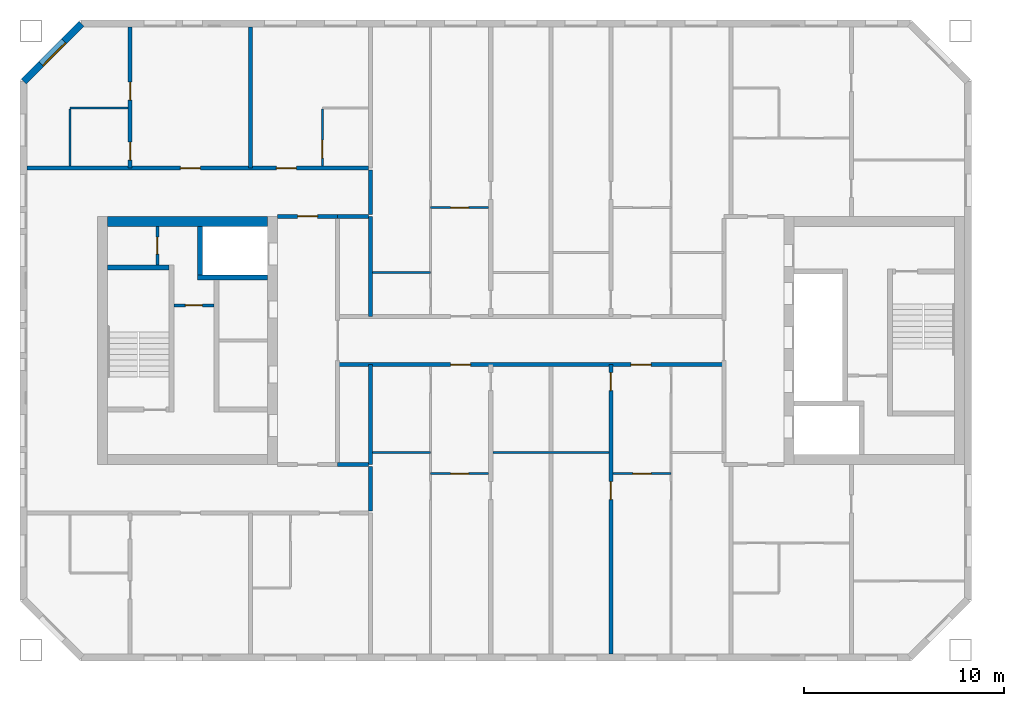
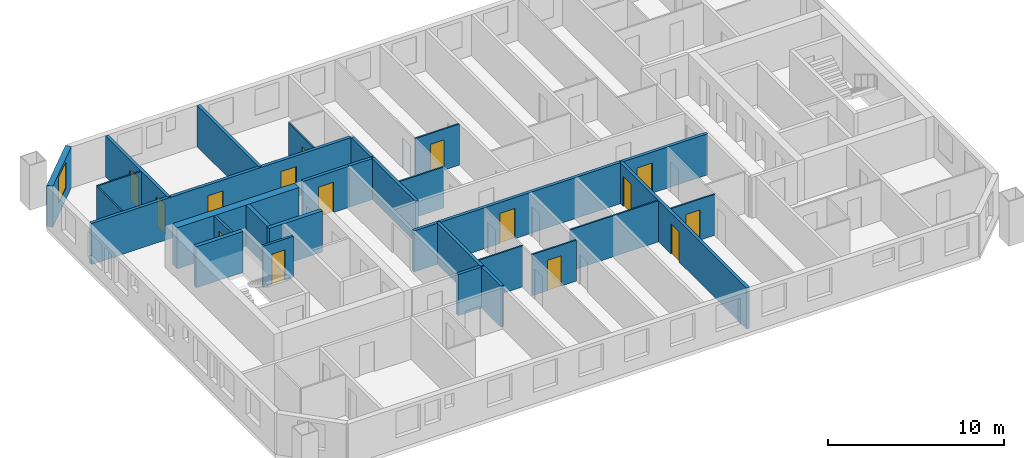
# One storey, part 4 of 15: 28 walls, 15 doors, 1 window, 16 openings.
"""IFC4 building model written with IfcOpenShell, lengths in metres."""

from ifc_helpers import new_model, si_unit, direction, frame, frame_2d, origin, place, context, subcontext, project, spatial, rectangle, extrude, material, layer, layer_set, type_object, element, fill, save


model = new_model("IFC4")

# Units and contexts
model_context = context("Model", 3, precision=1e-05, world=origin(), true_north=direction((0.0, 1.0)))
body_context = subcontext(model_context, "Body", "Model", "MODEL_VIEW")
ifc_project = project(units=[si_unit("LENGTHUNIT", "METRE"), si_unit("AREAUNIT", "SQUARE_METRE"), si_unit("VOLUMEUNIT", "CUBIC_METRE"), si_unit("PLANEANGLEUNIT", "RADIAN"), si_unit("MASSUNIT", "GRAM", prefix="KILO")], contexts=[model_context])

# Site, building, storey
site_placement = place(None, origin())
site = spatial("IfcSite", under=ifc_project, at=site_placement, CompositionType="ELEMENT")
building_placement = place(site_placement, origin())
building = spatial("IfcBuilding", under=site, at=building_placement, Name="Tuart Gate Housing", CompositionType="ELEMENT")
storey_placement = place(building_placement, frame((0.0, 0.0, 154.699951171875)))
storey = spatial("IfcBuildingStorey", under=building, at=storey_placement, Name="L43", CompositionType="ELEMENT", Elevation=154.699951171875)

# Wall, opening, window
ifc_material_1 = material(Name="Brick", Category="masonry")
ifc_layer_1 = layer(ifc_material_1, 0.360107421875)
ifc_layer_set_1 = layer_set([ifc_layer_1], Name="Brick pier and spandrel wall 360")
wall_type_1 = type_object("IfcWallType", Name="Brick pier and spandrel wall 360", PredefinedType="STANDARD", material=ifc_layer_set_1)
wall_1_placement = place(storey_placement, frame((31.57470703125, 85.820068359375, 0.0), z_axis=(0.0, 0.0, 1.0), x_axis=(-0.707106781187, -0.707106781187, 0.0)))
wall_1 = element("IfcWall", 1, at=wall_1_placement, inside=storey, type_object=wall_type_1, Name="External wall A-NW L43", PredefinedType="STANDARD", context=body_context, shape_type="SweptSolid", body=[
    extrude(rectangle(XDim=4.09375, YDim=0.360107421875, at=frame_2d((2.046875, 0.0))), origin(), (0.0, 0.0, 1.0), 2.85009765625),
])
opening_1_placement = place(wall_1_placement, frame((1.2470703125, 0.0, 0.800048828125)))
opening_1 = element("IfcOpeningElement", 2, at=opening_1_placement, cuts=wall_1, Name="Opening W1", PredefinedType="OPENING", context=body_context, shape_type="SweptSolid", body=[
    extrude(rectangle(XDim=1.60009765625, YDim=1.800048828125, at=frame_2d((0.800048828125, 0.89990234375))), frame((0.0, 0.18994140625, 0.0), z_axis=(0.0, -1.0, 0.0), x_axis=(1.0, 0.0, 0.0)), (0.0, 0.0, 1.0), 0.380126953125),
])
ifc_material_2 = material(Name="Aluminium frame with clear glass", Category="aluminium")
window_type = type_object("IfcWindowType", Name="Punched window 1600 x 1800", PartitioningType="SINGLE_PANEL", PredefinedType="WINDOW", material=ifc_material_2)
window_placement = place(opening_1_placement, origin())
window = element("IfcWindow", 3, at=window_placement, inside=storey, type_object=window_type, Name="Window W1", OverallHeight=1.800048828125, OverallWidth=1.60009765625, PartitioningType="SINGLE_PANEL", PredefinedType="WINDOW", context=body_context, shape_type="SweptSolid", body=[
    extrude(rectangle(XDim=1.60009765625, YDim=1.800048828125, at=frame_2d((0.800048828125, 0.89990234375))), frame((0.0, 0.150146484375, 0.0), z_axis=(0.0, -1.0, 0.0), x_axis=(1.0, 0.0, 0.0)), (0.0, 0.0, 1.0), 0.06005859375),
])
fill(opening_1, window)

# Wall, opening, door
ifc_material_3 = material(Name="Plasterboard partition")
ifc_layer_2 = layer(ifc_material_3, 0.14990234375)
ifc_layer_set_2 = layer_set([ifc_layer_2], Name="Core partition 150")
wall_type_2 = type_object("IfcWallType", Name="Core partition 150", PredefinedType="PARTITIONING", material=ifc_layer_set_2)
wall_2_placement = place(storey_placement, frame((38.18505859375, 71.75, 0.0), z_axis=(0.0, 0.0, 1.0), x_axis=(-1.0, 0.0, 0.0)))
wall_2 = element("IfcWall", 4, at=wall_2_placement, inside=storey, type_object=wall_type_2, Name="Core partition AK.3", PredefinedType="PARTITIONING", context=body_context, shape_type="SweptSolid", body=[
    extrude(rectangle(XDim=2.0, YDim=0.14990234375, at=frame_2d((1.0, 0.0))), origin(), (0.0, 0.0, 1.0), 2.85009765625),
])
opening_2_placement = place(wall_2_placement, frame((0.574951171875, 0.0, 0.0)))
opening_2 = element("IfcOpeningElement", 5, at=opening_2_placement, cuts=wall_2, Name="Opening D1539", PredefinedType="OPENING", context=body_context, shape_type="SweptSolid", body=[
    extrude(rectangle(XDim=0.85009765625, YDim=2.10009765625, at=frame_2d((0.425048828125, 1.050048828125))), frame((0.0, 0.0849609375, 0.0), z_axis=(0.0, -1.0, 0.0), x_axis=(1.0, 0.0, 0.0)), (0.0, 0.0, 1.0), 0.169921875),
])
ifc_material_4 = material(Name="Steel fire door", Category="steel")
door_type_1 = type_object("IfcDoorType", Name="Riser door 850 x 2100 RH", OperationType="SINGLE_SWING_RIGHT", PredefinedType="DOOR", material=ifc_material_4)
door_1_placement = place(opening_2_placement, frame((0.85009765625, 0.0, 0.0), z_axis=(0.0, 0.0, 1.0), x_axis=(-1.0, 0.0, 0.0)))
door_1 = element("IfcDoor", 6, at=door_1_placement, inside=storey, type_object=door_type_1, Name="Service room door AK.E1", OperationType="SINGLE_SWING_RIGHT", OverallHeight=2.10009765625, OverallWidth=0.85009765625, PredefinedType="DOOR", context=body_context, shape_type="SweptSolid", body=[
    extrude(rectangle(XDim=0.85009765625, YDim=2.10009765625, at=frame_2d((0.425048828125, 1.050048828125))), frame((0.0, 0.025146484375, 0.0), z_axis=(0.0, -1.0, 0.0), x_axis=(1.0, 0.0, 0.0)), (0.0, 0.0, 1.0), 0.050048828125),
])
fill(opening_2, door_1)

wall_3_placement = place(storey_placement, frame((35.360107421875, 75.699951171875, 0.0), z_axis=(0.0, 0.0, 1.0), x_axis=(0.0, -1.0, 0.0)))
wall_3 = element("IfcWall", 7, at=wall_3_placement, inside=storey, type_object=wall_type_2, Name="Core partition AK.10", PredefinedType="PARTITIONING", context=body_context, shape_type="SweptSolid", body=[
    extrude(rectangle(XDim=1.925048828125, YDim=0.14990234375, at=frame_2d((0.96240234375, 0.0))), origin(), (0.0, 0.0, 1.0), 2.85009765625),
])
opening_3_placement = place(wall_3_placement, frame((0.53759765625, 0.0, 0.0)))
opening_3 = element("IfcOpeningElement", 8, at=opening_3_placement, cuts=wall_3, Name="Opening D1537", PredefinedType="OPENING", context=body_context, shape_type="SweptSolid", body=[
    extrude(rectangle(XDim=0.85009765625, YDim=2.10009765625, at=frame_2d((0.425048828125, 1.050048828125))), frame((0.0, 0.0849609375, 0.0), z_axis=(0.0, -1.0, 0.0), x_axis=(1.0, 0.0, 0.0)), (0.0, 0.0, 1.0), 0.169921875),
])
ifc_material_5 = material(Name="Steel fire door", Category="steel")
door_type_2 = type_object("IfcDoorType", Name="Service door 850 x 2100", OperationType="SINGLE_SWING_LEFT", PredefinedType="DOOR", material=ifc_material_5)
door_2_placement = place(opening_3_placement, origin())
door_2 = element("IfcDoor", 9, at=door_2_placement, inside=storey, type_object=door_type_2, Name="Service room door AK.E2", OperationType="SINGLE_SWING_LEFT", OverallHeight=2.10009765625, OverallWidth=0.85009765625, PredefinedType="DOOR", context=body_context, shape_type="SweptSolid", body=[
    extrude(rectangle(XDim=0.85009765625, YDim=2.10009765625, at=frame_2d((0.425048828125, 1.050048828125))), frame((0.0, 0.02490234375, 0.0), z_axis=(0.0, -1.0, 0.0), x_axis=(1.0, 0.0, 0.0)), (0.0, 0.0, 1.0), 0.050048828125),
])
fill(opening_3, door_2)

# Walls
ifc_material_6 = material(Name="Concrete C40", Category="concrete")
ifc_layer_3 = layer(ifc_material_6, 0.25)
ifc_layer_set_3 = layer_set([ifc_layer_3], Name="Core wall 250 C40")
wall_type_3 = type_object("IfcWallType", Name="Core wall 250 C40", PredefinedType="SHEAR", material=ifc_layer_set_3)
wall_4_placement = place(storey_placement, frame((35.93505859375, 73.64990234375, 0.0), z_axis=(0.0, 0.0, 1.0), x_axis=(-1.0, 0.0, 0.0)))
element("IfcWall", 10, at=wall_4_placement, inside=storey, type_object=wall_type_3, Name="Core wall AK.1", PredefinedType="SHEAR", context=body_context, shape_type="SweptSolid", body=[
    extrude(rectangle(XDim=3.074951171875, YDim=0.25, at=frame_2d((1.53759765625, 0.0))), origin(), (0.0, 0.0, 1.0), 2.85009765625),
])
wall_5_placement = place(storey_placement, frame((40.860107421875, 73.14990234375, 0.0), z_axis=(0.0, 0.0, 1.0), x_axis=(-1.0, 0.0, 0.0)))
element("IfcWall", 11, at=wall_5_placement, inside=storey, type_object=wall_type_3, Name="Core wall AK.2", PredefinedType="SHEAR", context=body_context, shape_type="SweptSolid", body=[
    extrude(rectangle(XDim=3.4951171875, YDim=0.25, at=frame_2d((1.74755859375, 0.0))), origin(), (0.0, 0.0, 1.0), 2.85009765625),
])
wall_6_placement = place(storey_placement, frame((37.489990234375, 75.699951171875, 0.0), z_axis=(0.0, 0.0, 1.0), x_axis=(0.0, -1.0, 0.0)))
element("IfcWall", 12, at=wall_6_placement, inside=storey, type_object=wall_type_3, Name="Core wall AK.8", PredefinedType="SHEAR", context=body_context, shape_type="SweptSolid", body=[
    extrude(rectangle(XDim=2.425048828125, YDim=0.25, at=frame_2d((1.21240234375, 0.0))), origin(), (0.0, 0.0, 1.0), 2.85009765625),
])
ifc_material_7 = material(Name="Concrete C40", Category="concrete")
ifc_layer_4 = layer(ifc_material_7, 0.5)
ifc_layer_set_4 = layer_set([ifc_layer_4], Name="Core wall 500 C40")
wall_type_4 = type_object("IfcWallType", Name="Core wall 500 C40", PredefinedType="SHEAR", material=ifc_layer_set_4)
wall_7_placement = place(storey_placement, frame((40.860107421875, 75.949951171875, 0.0), z_axis=(0.0, 0.0, 1.0), x_axis=(-1.0, 0.0, 0.0)))
element("IfcWall", 13, at=wall_7_placement, inside=storey, type_object=wall_type_4, Name="Core wall AK south", PredefinedType="SHEAR", context=body_context, shape_type="SweptSolid", body=[
    extrude(rectangle(XDim=8.0, YDim=0.5, at=frame_2d((4.0, 0.0))), origin(), (0.0, 0.0, 1.0), 2.85009765625),
])
ifc_material_8 = material(Name="Concrete masonry 15 MPa", Category="masonry")
ifc_layer_5 = layer(ifc_material_8, 0.199951171875)
ifc_layer_set_5 = layer_set([ifc_layer_5], Name="Corridor wall masonry 200")
wall_type_5 = type_object("IfcWallType", Name="Corridor wall masonry 200", PredefinedType="PARTITIONING", material=ifc_layer_set_5)
wall_8_placement = place(storey_placement, frame((44.360107421875, 63.800048828125, 0.0), z_axis=(0.0, 0.0, 1.0), x_axis=(1.0, 0.0, 0.0)))
element("IfcWall", 14, at=wall_8_placement, inside=storey, type_object=wall_type_5, Name="Corridor wall masonry 200", PredefinedType="PARTITIONING", context=body_context, shape_type="SweptSolid", body=[
    extrude(rectangle(XDim=1.539794921875, YDim=0.199951171875, at=frame_2d((0.77001953125, 0.0))), origin(), (0.0, 0.0, 1.0), 2.85009765625),
])

# Wall, openings, doors
wall_9_placement = place(storey_placement, frame((44.360107421875, 68.800048828125, 0.0), z_axis=(0.0, 0.0, 1.0), x_axis=(1.0, 0.0, 0.0)))
wall_9 = element("IfcWall", 15, at=wall_9_placement, inside=storey, type_object=wall_type_5, Name="Corridor wall masonry 200", PredefinedType="PARTITIONING", context=body_context, shape_type="SweptSolid", body=[
    extrude(rectangle(XDim=19.27978515625, YDim=0.199951171875, at=frame_2d((9.639892578125, 0.0))), origin(), (0.0, 0.0, 1.0), 2.85009765625),
])
opening_4_placement = place(wall_9_placement, frame((14.639892578125, 0.0, 0.0)))
opening_4 = element("IfcOpeningElement", 16, at=opening_4_placement, cuts=wall_9, Name="Opening D1548", PredefinedType="OPENING", context=body_context, shape_type="SweptSolid", body=[
    extrude(rectangle(XDim=1.0, YDim=2.10009765625, at=frame_2d((0.5, 1.050048828125))), frame((0.0, 0.10986328125, 0.0), z_axis=(0.0, -1.0, 0.0), x_axis=(1.0, 0.0, 0.0)), (0.0, 0.0, 1.0), 0.219970703125),
])
opening_5_placement = place(wall_9_placement, frame((5.639892578125, 0.0, 0.0)))
opening_5 = element("IfcOpeningElement", 17, at=opening_5_placement, cuts=wall_9, Name="Opening D1549", PredefinedType="OPENING", context=body_context, shape_type="SweptSolid", body=[
    extrude(rectangle(XDim=1.0, YDim=2.10009765625, at=frame_2d((0.5, 1.050048828125))), frame((0.0, 0.10986328125, 0.0), z_axis=(0.0, -1.0, 0.0), x_axis=(1.0, 0.0, 0.0)), (0.0, 0.0, 1.0), 0.219970703125),
])
ifc_material_9 = material(Name="Timber door leaf in steel frame", Category="steel")
door_type_3 = type_object("IfcDoorType", Name="Flat entrance door 1000 RH", OperationType="SINGLE_SWING_RIGHT", PredefinedType="DOOR", material=ifc_material_9)
door_3_placement = place(opening_4_placement, frame((1.0, 0.0, 0.0), z_axis=(0.0, 0.0, 1.0), x_axis=(-1.0, 0.0, 0.0)))
door_3 = element("IfcDoor", 18, at=door_3_placement, inside=storey, type_object=door_type_3, Name="Flat entrance door", OperationType="SINGLE_SWING_RIGHT", OverallHeight=2.10009765625, OverallWidth=1.0, PredefinedType="DOOR", context=body_context, shape_type="SweptSolid", body=[
    extrude(rectangle(XDim=1.0, YDim=2.10009765625, at=frame_2d((0.5, 1.050048828125))), frame((0.0, 0.025146484375, 0.0), z_axis=(0.0, -1.0, 0.0), x_axis=(1.0, 0.0, 0.0)), (0.0, 0.0, 1.0), 0.050048828125),
])
fill(opening_4, door_3)
door_4_placement = place(opening_5_placement, frame((1.0, 0.0, 0.0), z_axis=(0.0, 0.0, 1.0), x_axis=(-1.0, 0.0, 0.0)))
door_4 = element("IfcDoor", 19, at=door_4_placement, inside=storey, type_object=door_type_3, Name="Flat entrance door", OperationType="SINGLE_SWING_RIGHT", OverallHeight=2.10009765625, OverallWidth=1.0, PredefinedType="DOOR", context=body_context, shape_type="SweptSolid", body=[
    extrude(rectangle(XDim=1.0, YDim=2.10009765625, at=frame_2d((0.5, 1.050048828125))), frame((0.0, 0.025146484375, 0.0), z_axis=(0.0, -1.0, 0.0), x_axis=(1.0, 0.0, 0.0)), (0.0, 0.0, 1.0), 0.050048828125),
])
fill(opening_5, door_4)

# Wall
wall_10_placement = place(storey_placement, frame((44.360107421875, 76.199951171875, 0.0), z_axis=(0.0, 0.0, 1.0), x_axis=(1.0, 0.0, 0.0)))
element("IfcWall", 20, at=wall_10_placement, inside=storey, type_object=wall_type_5, Name="Corridor wall masonry 200", PredefinedType="PARTITIONING", context=body_context, shape_type="SweptSolid", body=[
    extrude(rectangle(XDim=1.539794921875, YDim=0.199951171875, at=frame_2d((0.77001953125, 0.0))), origin(), (0.0, 0.0, 1.0), 2.85009765625),
])

# Wall, openings, doors
wall_11_placement = place(storey_placement, frame((28.860107421875, 78.60009765625, 0.0), z_axis=(0.0, 0.0, 1.0), x_axis=(1.0, 0.0, 0.0)))
wall_11 = element("IfcWall", 21, at=wall_11_placement, inside=storey, type_object=wall_type_5, Name="Corridor wall masonry 200", PredefinedType="PARTITIONING", context=body_context, shape_type="SweptSolid", body=[
    extrude(rectangle(XDim=17.039794921875, YDim=0.199951171875, at=frame_2d((8.52001953125, 0.0))), origin(), (0.0, 0.0, 1.0), 2.85009765625),
])
opening_6_placement = place(wall_11_placement, frame((12.43994140625, 0.0, 0.0)))
opening_6 = element("IfcOpeningElement", 22, at=opening_6_placement, cuts=wall_11, Name="Opening D1523", PredefinedType="OPENING", context=body_context, shape_type="SweptSolid", body=[
    extrude(rectangle(XDim=1.0, YDim=2.10009765625, at=frame_2d((0.5, 1.050048828125))), frame((0.0, 0.10986328125, 0.0), z_axis=(0.0, -1.0, 0.0), x_axis=(1.0, 0.0, 0.0)), (0.0, 0.0, 1.0), 0.219970703125),
])
opening_7_placement = place(wall_11_placement, frame((7.639892578125, 0.0, 0.0)))
opening_7 = element("IfcOpeningElement", 23, at=opening_7_placement, cuts=wall_11, Name="Opening D1524", PredefinedType="OPENING", context=body_context, shape_type="SweptSolid", body=[
    extrude(rectangle(XDim=1.0, YDim=2.10009765625, at=frame_2d((0.5, 1.050048828125))), frame((0.0, 0.10986328125, 0.0), z_axis=(0.0, -1.0, 0.0), x_axis=(1.0, 0.0, 0.0)), (0.0, 0.0, 1.0), 0.219970703125),
])
ifc_material_10 = material(Name="Timber door leaf in steel frame", Category="steel")
door_type_4 = type_object("IfcDoorType", Name="Flat entrance door 1000", OperationType="SINGLE_SWING_LEFT", PredefinedType="DOOR", material=ifc_material_10)
door_5_placement = place(opening_6_placement, origin())
door_5 = element("IfcDoor", 24, at=door_5_placement, inside=storey, type_object=door_type_4, Name="Flat entrance door", OperationType="SINGLE_SWING_LEFT", OverallHeight=2.10009765625, OverallWidth=1.0, PredefinedType="DOOR", context=body_context, shape_type="SweptSolid", body=[
    extrude(rectangle(XDim=1.0, YDim=2.10009765625, at=frame_2d((0.5, 1.050048828125))), frame((0.0, 0.02490234375, 0.0), z_axis=(0.0, -1.0, 0.0), x_axis=(1.0, 0.0, 0.0)), (0.0, 0.0, 1.0), 0.050048828125),
])
fill(opening_6, door_5)
door_6_placement = place(opening_7_placement, origin())
door_6 = element("IfcDoor", 25, at=door_6_placement, inside=storey, type_object=door_type_4, Name="Flat entrance door", OperationType="SINGLE_SWING_LEFT", OverallHeight=2.10009765625, OverallWidth=1.0, PredefinedType="DOOR", context=body_context, shape_type="SweptSolid", body=[
    extrude(rectangle(XDim=1.0, YDim=2.10009765625, at=frame_2d((0.5, 1.050048828125))), frame((0.0, 0.02490234375, 0.0), z_axis=(0.0, -1.0, 0.0), x_axis=(1.0, 0.0, 0.0)), (0.0, 0.0, 1.0), 0.050048828125),
])
fill(opening_7, door_6)

# Walls
for number, where, z_axis, x_axis, name in (
    (26, (46.0, 61.5, 0.0), (0.0, 0.0, 1.0), (0.0, 1.0, 0.0), "Corridor wall masonry 200"),
    (27, (46.0, 76.300048828125, 0.0), (0.0, 0.0, 1.0), (0.0, 1.0, 0.0), "Corridor wall masonry 200"),
):
    element("IfcWall", number, at=place(storey_placement, frame(where, z_axis=z_axis, x_axis=x_axis)), inside=storey, type_object=wall_type_5, Name=name, PredefinedType="PARTITIONING", context=body_context, shape_type="SweptSolid", body=[
        extrude(rectangle(XDim=2.199951171875, YDim=0.199951171875, at=frame_2d((1.10009765625, 0.0))), origin(), (0.0, 0.0, 1.0), 2.85009765625),
    ])

# Wall, opening, door
ifc_material_11 = material(Name="Concrete masonry 15 MPa", Category="masonry")
ifc_layer_6 = layer(ifc_material_11, 0.199951171875)
ifc_layer_set_6 = layer_set([ifc_layer_6], Name="Enclosure wall masonry 200")
wall_type_6 = type_object("IfcWallType", Name="Enclosure wall masonry 200", PredefinedType="PARTITIONING", material=ifc_layer_set_6)
wall_12_placement = place(storey_placement, frame((41.360107421875, 76.199951171875, 0.0), z_axis=(0.0, 0.0, 1.0), x_axis=(1.0, 0.0, 0.0)))
wall_12 = element("IfcWall", 28, at=wall_12_placement, inside=storey, type_object=wall_type_6, Name="Enclosure wall masonry 200", PredefinedType="PARTITIONING", context=body_context, shape_type="SweptSolid", body=[
    extrude(rectangle(XDim=3.0, YDim=0.199951171875, at=frame_2d((1.5, 0.0))), origin(), (0.0, 0.0, 1.0), 2.85009765625),
])
opening_8_placement = place(wall_12_placement, frame((1.0, 0.0, 0.0)))
opening_8 = element("IfcOpeningElement", 29, at=opening_8_placement, cuts=wall_12, Name="Opening D1535", PredefinedType="OPENING", context=body_context, shape_type="SweptSolid", body=[
    extrude(rectangle(XDim=1.0, YDim=2.10009765625, at=frame_2d((0.5, 1.050048828125))), frame((0.0, 0.10986328125, 0.0), z_axis=(0.0, -1.0, 0.0), x_axis=(1.0, 0.0, 0.0)), (0.0, 0.0, 1.0), 0.219970703125),
])
ifc_material_12 = material(Name="Timber door leaf in steel frame", Category="steel")
door_type_5 = type_object("IfcDoorType", Name="Fire door 1000 RH", OperationType="SINGLE_SWING_RIGHT", PredefinedType="DOOR", material=ifc_material_12)
door_7_placement = place(opening_8_placement, origin())
door_7 = element("IfcDoor", 30, at=door_7_placement, inside=storey, type_object=door_type_5, Name="Fire door", OperationType="SINGLE_SWING_RIGHT", OverallHeight=2.10009765625, OverallWidth=1.0, PredefinedType="DOOR", context=body_context, shape_type="SweptSolid", body=[
    extrude(rectangle(XDim=1.0, YDim=2.10009765625, at=frame_2d((0.5, 1.050048828125))), frame((0.0, 0.02490234375, 0.0), z_axis=(0.0, -1.0, 0.0), x_axis=(1.0, 0.0, 0.0)), (0.0, 0.0, 1.0), 0.050048828125),
])
fill(opening_8, door_7)

ifc_material_13 = material(Name="Gypsum board on steel studs", Category="steel")
ifc_layer_7 = layer(ifc_material_13, 0.10009765625)
ifc_layer_set_7 = layer_set([ifc_layer_7], Name="Partition 100")
wall_type_7 = type_object("IfcWallType", Name="Partition 100", PredefinedType="PARTITIONING", material=ifc_layer_set_7)
wall_13_placement = place(storey_placement, frame((49.0, 63.360107421875, 0.0), z_axis=(0.0, 0.0, 1.0), x_axis=(1.0, 0.0, 0.0)))
wall_13 = element("IfcWall", 31, at=wall_13_placement, inside=storey, type_object=wall_type_7, Name="Partition 100", PredefinedType="PARTITIONING", context=body_context, shape_type="SweptSolid", body=[
    extrude(rectangle(XDim=2.89990234375, YDim=0.10009765625, at=frame_2d((1.449951171875, 0.0))), origin(), (0.0, 0.0, 1.0), 2.85009765625),
])
opening_9_placement = place(wall_13_placement, frame((1.0, 0.0, 0.0)))
opening_9 = element("IfcOpeningElement", 32, at=opening_9_placement, cuts=wall_13, Name="Opening D1554", PredefinedType="OPENING", context=body_context, shape_type="SweptSolid", body=[
    extrude(rectangle(XDim=0.89990234375, YDim=2.10009765625, at=frame_2d((0.449951171875, 1.050048828125))), frame((0.0, 0.06005859375, 0.0), z_axis=(0.0, -1.0, 0.0), x_axis=(1.0, 0.0, 0.0)), (0.0, 0.0, 1.0), 0.1201171875),
])
ifc_material_14 = material(Name="Timber door leaf in steel frame", Category="steel")
door_type_6 = type_object("IfcDoorType", Name="Internal door 900", OperationType="SINGLE_SWING_LEFT", PredefinedType="DOOR", material=ifc_material_14)
door_8_placement = place(opening_9_placement, origin())
door_8 = element("IfcDoor", 33, at=door_8_placement, inside=storey, type_object=door_type_6, Name="Internal door", OperationType="SINGLE_SWING_LEFT", OverallHeight=2.10009765625, OverallWidth=0.89990234375, PredefinedType="DOOR", context=body_context, shape_type="SweptSolid", body=[
    extrude(rectangle(XDim=0.89990234375, YDim=2.10009765625, at=frame_2d((0.449951171875, 1.050048828125))), frame((0.0, 0.02490234375, 0.0), z_axis=(0.0, -1.0, 0.0), x_axis=(1.0, 0.0, 0.0)), (0.0, 0.0, 1.0), 0.050048828125),
])
fill(opening_9, door_8)

wall_14_placement = place(storey_placement, frame((58.10009765625, 63.360107421875, 0.0), z_axis=(0.0, 0.0, 1.0), x_axis=(1.0, 0.0, 0.0)))
wall_14 = element("IfcWall", 34, at=wall_14_placement, inside=storey, type_object=wall_type_7, Name="Partition 100", PredefinedType="PARTITIONING", context=body_context, shape_type="SweptSolid", body=[
    extrude(rectangle(XDim=2.89990234375, YDim=0.10009765625, at=frame_2d((1.449951171875, 0.0))), origin(), (0.0, 0.0, 1.0), 2.85009765625),
])
opening_10_placement = place(wall_14_placement, frame((1.0, 0.0, 0.0)))
opening_10 = element("IfcOpeningElement", 35, at=opening_10_placement, cuts=wall_14, Name="Opening D1555", PredefinedType="OPENING", context=body_context, shape_type="SweptSolid", body=[
    extrude(rectangle(XDim=0.89990234375, YDim=2.10009765625, at=frame_2d((0.449951171875, 1.050048828125))), frame((0.0, 0.06005859375, 0.0), z_axis=(0.0, -1.0, 0.0), x_axis=(1.0, 0.0, 0.0)), (0.0, 0.0, 1.0), 0.1201171875),
])
ifc_material_15 = material(Name="Timber door leaf in steel frame", Category="steel")
door_type_7 = type_object("IfcDoorType", Name="Internal door 900 RH", OperationType="SINGLE_SWING_RIGHT", PredefinedType="DOOR", material=ifc_material_15)
door_9_placement = place(opening_10_placement, origin())
door_9 = element("IfcDoor", 36, at=door_9_placement, inside=storey, type_object=door_type_7, Name="Internal door", OperationType="SINGLE_SWING_RIGHT", OverallHeight=2.10009765625, OverallWidth=0.89990234375, PredefinedType="DOOR", context=body_context, shape_type="SweptSolid", body=[
    extrude(rectangle(XDim=0.89990234375, YDim=2.10009765625, at=frame_2d((0.449951171875, 1.050048828125))), frame((0.0, 0.02490234375, 0.0), z_axis=(0.0, -1.0, 0.0), x_axis=(1.0, 0.0, 0.0)), (0.0, 0.0, 1.0), 0.050048828125),
])
fill(opening_10, door_9)

# Walls
wall_15_placement = place(storey_placement, frame((46.10009765625, 64.39990234375, 0.0), z_axis=(0.0, 0.0, 1.0), x_axis=(1.0, 0.0, 0.0)))
element("IfcWall", 37, at=wall_15_placement, inside=storey, type_object=wall_type_7, Name="Partition 100", PredefinedType="PARTITIONING", context=body_context, shape_type="SweptSolid", body=[
    extrude(rectangle(XDim=2.89990234375, YDim=0.10009765625, at=frame_2d((1.449951171875, 0.0))), origin(), (0.0, 0.0, 1.0), 2.85009765625),
])
wall_16_placement = place(storey_placement, frame((52.10009765625, 64.39990234375, 0.0), z_axis=(0.0, 0.0, 1.0), x_axis=(1.0, 0.0, 0.0)))
element("IfcWall", 38, at=wall_16_placement, inside=storey, type_object=wall_type_7, Name="Partition 100", PredefinedType="PARTITIONING", context=body_context, shape_type="SweptSolid", body=[
    extrude(rectangle(XDim=5.7998046875, YDim=0.10009765625, at=frame_2d((2.89990234375, 0.0))), origin(), (0.0, 0.0, 1.0), 2.85009765625),
])
wall_17_placement = place(storey_placement, frame((46.10009765625, 73.39990234375, 0.0), z_axis=(0.0, 0.0, 1.0), x_axis=(1.0, 0.0, 0.0)))
element("IfcWall", 39, at=wall_17_placement, inside=storey, type_object=wall_type_7, Name="Partition 100", PredefinedType="PARTITIONING", context=body_context, shape_type="SweptSolid", body=[
    extrude(rectangle(XDim=2.89990234375, YDim=0.10009765625, at=frame_2d((1.449951171875, 0.0))), origin(), (0.0, 0.0, 1.0), 2.85009765625),
])

# Wall, opening, door
wall_18_placement = place(storey_placement, frame((49.0, 76.639892578125, 0.0), z_axis=(0.0, 0.0, 1.0), x_axis=(1.0, 0.0, 0.0)))
wall_18 = element("IfcWall", 40, at=wall_18_placement, inside=storey, type_object=wall_type_7, Name="Partition 100", PredefinedType="PARTITIONING", context=body_context, shape_type="SweptSolid", body=[
    extrude(rectangle(XDim=2.89990234375, YDim=0.10009765625, at=frame_2d((1.449951171875, 0.0))), origin(), (0.0, 0.0, 1.0), 2.85009765625),
])
opening_11_placement = place(wall_18_placement, frame((1.0, 0.0, 0.0)))
opening_11 = element("IfcOpeningElement", 41, at=opening_11_placement, cuts=wall_18, Name="Opening D1533", PredefinedType="OPENING", context=body_context, shape_type="SweptSolid", body=[
    extrude(rectangle(XDim=0.89990234375, YDim=2.10009765625, at=frame_2d((0.449951171875, 1.050048828125))), frame((0.0, 0.06005859375, 0.0), z_axis=(0.0, -1.0, 0.0), x_axis=(1.0, 0.0, 0.0)), (0.0, 0.0, 1.0), 0.1201171875),
])
door_10_placement = place(opening_11_placement, frame((0.89990234375, 0.0, 0.0), z_axis=(0.0, 0.0, 1.0), x_axis=(-1.0, 0.0, 0.0)))
door_10 = element("IfcDoor", 42, at=door_10_placement, inside=storey, type_object=door_type_7, Name="Internal door", OperationType="SINGLE_SWING_RIGHT", OverallHeight=2.10009765625, OverallWidth=0.89990234375, PredefinedType="DOOR", context=body_context, shape_type="SweptSolid", body=[
    extrude(rectangle(XDim=0.89990234375, YDim=2.10009765625, at=frame_2d((0.449951171875, 1.050048828125))), frame((0.0, 0.025146484375, 0.0), z_axis=(0.0, -1.0, 0.0), x_axis=(1.0, 0.0, 0.0)), (0.0, 0.0, 1.0), 0.050048828125),
])
fill(opening_11, door_10)

# Walls
wall_19_placement = place(storey_placement, frame((31.0, 81.60009765625, 0.0), z_axis=(0.0, 0.0, 1.0), x_axis=(1.0, 0.0, 0.0)))
element("IfcWall", 43, at=wall_19_placement, inside=storey, type_object=wall_type_7, Name="Partition 100", PredefinedType="PARTITIONING", context=body_context, shape_type="SweptSolid", body=[
    extrude(rectangle(XDim=2.89990234375, YDim=0.10009765625, at=frame_2d((1.449951171875, 0.0))), origin(), (0.0, 0.0, 1.0), 2.85009765625),
])
wall_20_placement = place(storey_placement, frame((31.0, 78.699951171875, 0.0), z_axis=(0.0, 0.0, 1.0), x_axis=(0.0, 1.0, 0.0)))
element("IfcWall", 44, at=wall_20_placement, inside=storey, type_object=wall_type_7, Name="Partition 100", PredefinedType="PARTITIONING", context=body_context, shape_type="SweptSolid", body=[
    extrude(rectangle(XDim=2.85009765625, YDim=0.10009765625, at=frame_2d((1.425048828125, 0.0))), origin(), (0.0, 0.0, 1.0), 2.85009765625),
])

# Wall, opening, door
wall_21_placement = place(storey_placement, frame((43.60009765625, 78.699951171875, 0.0), z_axis=(0.0, 0.0, 1.0), x_axis=(0.0, 1.0, 0.0)))
wall_21 = element("IfcWall", 45, at=wall_21_placement, inside=storey, type_object=wall_type_7, Name="Partition 100", PredefinedType="PARTITIONING", context=body_context, shape_type="SweptSolid", body=[
    extrude(rectangle(XDim=2.85009765625, YDim=0.10009765625, at=frame_2d((1.425048828125, 0.0))), origin(), (0.0, 0.0, 1.0), 2.85009765625),
])
opening_12_placement = place(wall_21_placement, frame((0.39990234375, 0.0, 0.0)))
opening_12 = element("IfcOpeningElement", 46, at=opening_12_placement, cuts=wall_21, Name="Opening D1520", PredefinedType="OPENING", context=body_context, shape_type="SweptSolid", body=[
    extrude(rectangle(XDim=0.89990234375, YDim=2.10009765625, at=frame_2d((0.449951171875, 1.050048828125))), frame((0.0, 0.06005859375, 0.0), z_axis=(0.0, -1.0, 0.0), x_axis=(1.0, 0.0, 0.0)), (0.0, 0.0, 1.0), 0.1201171875),
])
ifc_material_16 = material(Name="Timber door leaf in steel frame", Category="steel")
door_type_8 = type_object("IfcDoorType", Name="Bathroom door 900 RH", OperationType="SINGLE_SWING_RIGHT", PredefinedType="DOOR", material=ifc_material_16)
door_11_placement = place(opening_12_placement, frame((0.89990234375, 0.0, 0.0), z_axis=(0.0, 0.0, 1.0), x_axis=(-1.0, 0.0, 0.0)))
door_11 = element("IfcDoor", 47, at=door_11_placement, inside=storey, type_object=door_type_8, Name="Bathroom door", OperationType="SINGLE_SWING_RIGHT", OverallHeight=2.10009765625, OverallWidth=0.89990234375, PredefinedType="DOOR", context=body_context, shape_type="SweptSolid", body=[
    extrude(rectangle(XDim=0.89990234375, YDim=2.10009765625, at=frame_2d((0.449951171875, 1.050048828125))), frame((0.0, 0.025146484375, 0.0), z_axis=(0.0, -1.0, 0.0), x_axis=(1.0, 0.0, 0.0)), (0.0, 0.0, 1.0), 0.050048828125),
])
fill(opening_12, door_11)

# Wall, openings, doors
ifc_material_17 = material(Name="Concrete C40", Category="concrete")
ifc_layer_8 = layer(ifc_material_17, 0.199951171875)
ifc_layer_set_8 = layer_set([ifc_layer_8], Name="Party wall concrete C40 200")
wall_type_8 = type_object("IfcWallType", Name="Party wall concrete C40 200", PredefinedType="SOLIDWALL", material=ifc_layer_set_8)
wall_22_placement = place(storey_placement, frame((34.0, 78.60009765625, 0.0), z_axis=(0.0, 0.0, 1.0), x_axis=(0.0, 1.0, 0.0)))
wall_22 = element("IfcWall", 48, at=wall_22_placement, inside=storey, type_object=wall_type_8, Name="Party wall concrete C40 200", PredefinedType="SOLIDWALL", context=body_context, shape_type="SweptSolid", body=[
    extrude(rectangle(XDim=7.039794921875, YDim=0.199951171875, at=frame_2d((3.52001953125, 0.0))), origin(), (0.0, 0.0, 1.0), 2.85009765625),
])
opening_13_placement = place(wall_22_placement, frame((3.39990234375, 0.0, 0.0)))
opening_13 = element("IfcOpeningElement", 49, at=opening_13_placement, cuts=wall_22, Name="Opening D1517", PredefinedType="OPENING", context=body_context, shape_type="SweptSolid", body=[
    extrude(rectangle(XDim=0.89990234375, YDim=2.10009765625, at=frame_2d((0.449951171875, 1.050048828125))), frame((0.0, 0.10986328125, 0.0), z_axis=(0.0, -1.0, 0.0), x_axis=(1.0, 0.0, 0.0)), (0.0, 0.0, 1.0), 0.219970703125),
])
opening_14_placement = place(wall_22_placement, frame((0.39990234375, 0.0, 0.0)))
opening_14 = element("IfcOpeningElement", 50, at=opening_14_placement, cuts=wall_22, Name="Opening D1516", PredefinedType="OPENING", context=body_context, shape_type="SweptSolid", body=[
    extrude(rectangle(XDim=0.89990234375, YDim=2.10009765625, at=frame_2d((0.449951171875, 1.050048828125))), frame((0.0, 0.10986328125, 0.0), z_axis=(0.0, -1.0, 0.0), x_axis=(1.0, 0.0, 0.0)), (0.0, 0.0, 1.0), 0.219970703125),
])
ifc_material_18 = material(Name="Timber door leaf in steel frame", Category="steel")
door_type_9 = type_object("IfcDoorType", Name="Bathroom door 900", OperationType="SINGLE_SWING_LEFT", PredefinedType="DOOR", material=ifc_material_18)
door_12_placement = place(opening_14_placement, origin())
door_12 = element("IfcDoor", 51, at=door_12_placement, inside=storey, type_object=door_type_9, Name="Bathroom door", OperationType="SINGLE_SWING_LEFT", OverallHeight=2.10009765625, OverallWidth=0.89990234375, PredefinedType="DOOR", context=body_context, shape_type="SweptSolid", body=[
    extrude(rectangle(XDim=0.89990234375, YDim=2.10009765625, at=frame_2d((0.449951171875, 1.050048828125))), frame((0.0, 0.02490234375, 0.0), z_axis=(0.0, -1.0, 0.0), x_axis=(1.0, 0.0, 0.0)), (0.0, 0.0, 1.0), 0.050048828125),
])
fill(opening_14, door_12)
door_13_placement = place(opening_13_placement, origin())
door_13 = element("IfcDoor", 52, at=door_13_placement, inside=storey, type_object=door_type_6, Name="Internal door", OperationType="SINGLE_SWING_LEFT", OverallHeight=2.10009765625, OverallWidth=0.89990234375, PredefinedType="DOOR", context=body_context, shape_type="SweptSolid", body=[
    extrude(rectangle(XDim=0.89990234375, YDim=2.10009765625, at=frame_2d((0.449951171875, 1.050048828125))), frame((0.0, 0.02490234375, 0.0), z_axis=(0.0, -1.0, 0.0), x_axis=(1.0, 0.0, 0.0)), (0.0, 0.0, 1.0), 0.050048828125),
])
fill(opening_13, door_13)

# Walls
wall_23_placement = place(storey_placement, frame((40.0, 78.60009765625, 0.0), z_axis=(0.0, 0.0, 1.0), x_axis=(0.0, 1.0, 0.0)))
element("IfcWall", 53, at=wall_23_placement, inside=storey, type_object=wall_type_8, Name="Party wall concrete C40 200", PredefinedType="SOLIDWALL", context=body_context, shape_type="SweptSolid", body=[
    extrude(rectangle(XDim=7.039794921875, YDim=0.199951171875, at=frame_2d((3.52001953125, 0.0))), origin(), (0.0, 0.0, 1.0), 2.85009765625),
])
for number, where, z_axis, x_axis, name in (
    (54, (46.0, 63.800048828125, 0.0), (0.0, 0.0, 1.0), (0.0, 1.0, 0.0), "Party wall concrete C40 200"),
    (55, (46.0, 71.199951171875, 0.0), (0.0, 0.0, 1.0), (0.0, 1.0, 0.0), "Party wall concrete C40 200"),
):
    element("IfcWall", number, at=place(storey_placement, frame(where, z_axis=z_axis, x_axis=x_axis)), inside=storey, type_object=wall_type_8, Name=name, PredefinedType="SOLIDWALL", context=body_context, shape_type="SweptSolid", body=[
        extrude(rectangle(XDim=5.0, YDim=0.199951171875, at=frame_2d((2.5, 0.0))), origin(), (0.0, 0.0, 1.0), 2.85009765625),
    ])

# Wall, openings, doors
wall_24_placement = place(storey_placement, frame((58.0, 54.360107421875, 0.0), z_axis=(0.0, 0.0, 1.0), x_axis=(0.0, 1.0, 0.0)))
wall_24 = element("IfcWall", 56, at=wall_24_placement, inside=storey, type_object=wall_type_8, Name="Party wall concrete C40 200", PredefinedType="SOLIDWALL", context=body_context, shape_type="SweptSolid", body=[
    extrude(rectangle(XDim=14.43994140625, YDim=0.199951171875, at=frame_2d((7.219970703125, 0.0))), origin(), (0.0, 0.0, 1.0), 2.85009765625),
])
opening_15_placement = place(wall_24_placement, frame((7.699951171875, 0.0, 0.0)))
opening_15 = element("IfcOpeningElement", 57, at=opening_15_placement, cuts=wall_24, Name="Opening D1559", PredefinedType="OPENING", context=body_context, shape_type="SweptSolid", body=[
    extrude(rectangle(XDim=0.89990234375, YDim=2.10009765625, at=frame_2d((0.449951171875, 1.050048828125))), frame((0.0, 0.10986328125, 0.0), z_axis=(0.0, -1.0, 0.0), x_axis=(1.0, 0.0, 0.0)), (0.0, 0.0, 1.0), 0.219970703125),
])
opening_16_placement = place(wall_24_placement, frame((13.139892578125, 0.0, 0.0)))
opening_16 = element("IfcOpeningElement", 58, at=opening_16_placement, cuts=wall_24, Name="Opening D1558", PredefinedType="OPENING", context=body_context, shape_type="SweptSolid", body=[
    extrude(rectangle(XDim=0.89990234375, YDim=2.10009765625, at=frame_2d((0.449951171875, 1.050048828125))), frame((0.0, 0.10986328125, 0.0), z_axis=(0.0, -1.0, 0.0), x_axis=(1.0, 0.0, 0.0)), (0.0, 0.0, 1.0), 0.219970703125),
])
door_14_placement = place(opening_16_placement, origin())
door_14 = element("IfcDoor", 59, at=door_14_placement, inside=storey, type_object=door_type_8, Name="Bathroom door", OperationType="SINGLE_SWING_RIGHT", OverallHeight=2.10009765625, OverallWidth=0.89990234375, PredefinedType="DOOR", context=body_context, shape_type="SweptSolid", body=[
    extrude(rectangle(XDim=0.89990234375, YDim=2.10009765625, at=frame_2d((0.449951171875, 1.050048828125))), frame((0.0, 0.02490234375, 0.0), z_axis=(0.0, -1.0, 0.0), x_axis=(1.0, 0.0, 0.0)), (0.0, 0.0, 1.0), 0.050048828125),
])
fill(opening_16, door_14)
door_15_placement = place(opening_15_placement, origin())
door_15 = element("IfcDoor", 60, at=door_15_placement, inside=storey, type_object=door_type_7, Name="Internal door", OperationType="SINGLE_SWING_RIGHT", OverallHeight=2.10009765625, OverallWidth=0.89990234375, PredefinedType="DOOR", context=body_context, shape_type="SweptSolid", body=[
    extrude(rectangle(XDim=0.89990234375, YDim=2.10009765625, at=frame_2d((0.449951171875, 1.050048828125))), frame((0.0, 0.02490234375, 0.0), z_axis=(0.0, -1.0, 0.0), x_axis=(1.0, 0.0, 0.0)), (0.0, 0.0, 1.0), 0.050048828125),
])
fill(opening_15, door_15)

save(model, "model.ifc")
